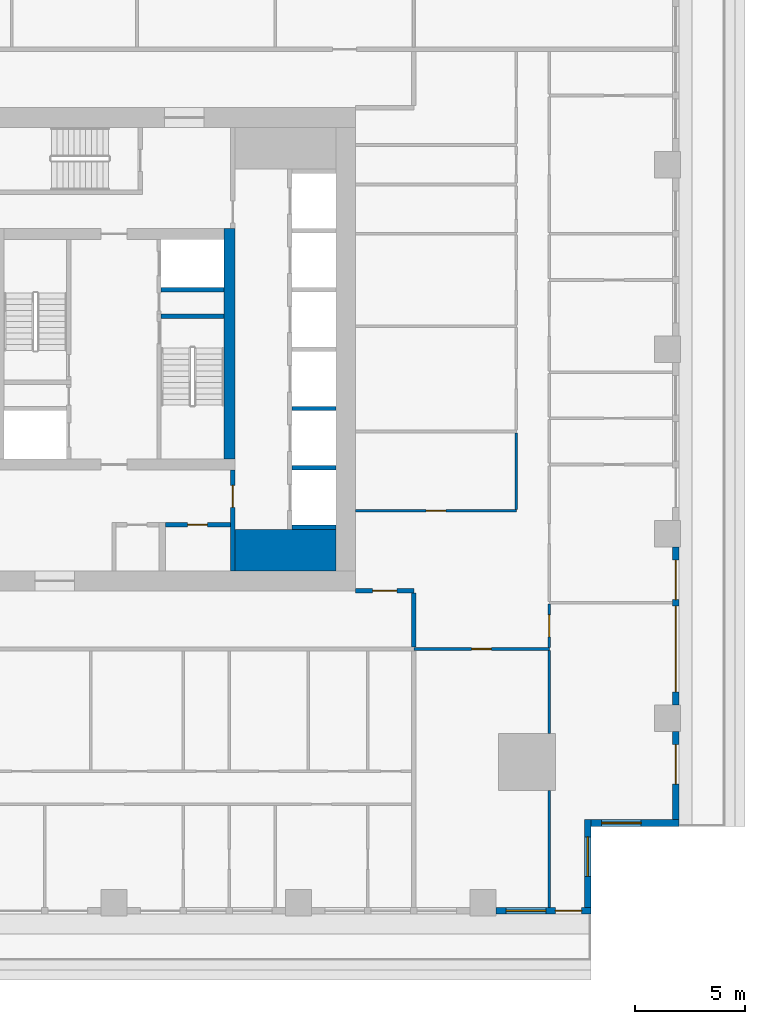
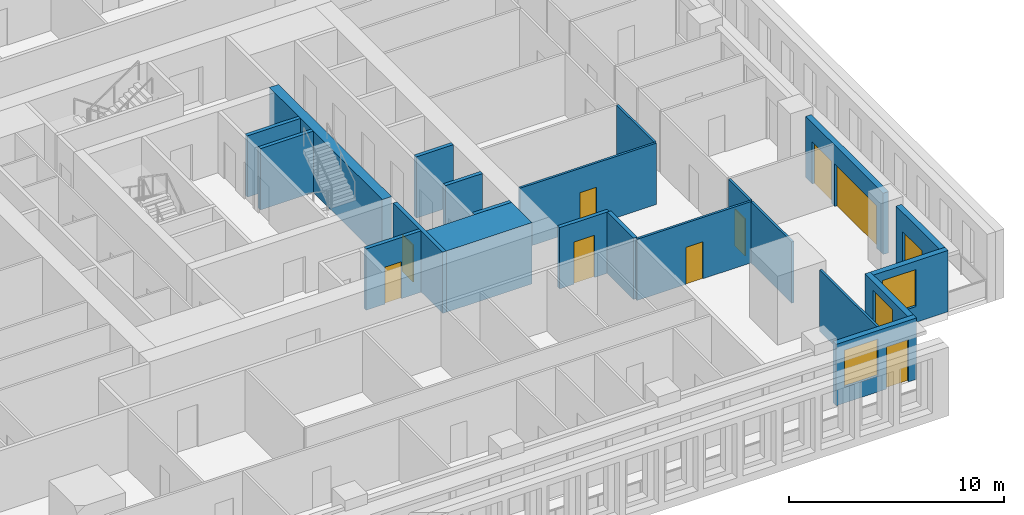
# One storey, part 5 of 16: 22 walls, 10 doors, 3 windows, 13 openings.
"""IFC4 building model written with IfcOpenShell, lengths in metres."""

from ifc_helpers import new_model, si_unit, direction, frame, frame_2d, origin, place, context, subcontext, project, spatial, rectangle, extrude, material, layer, layer_set, type_object, element, fill, save


model = new_model("IFC4")

# Units and contexts
model_context = context("Model", 3, precision=1e-05, world=origin(), true_north=direction((0.0, 1.0)))
body_context = subcontext(model_context, "Body", "Model", "MODEL_VIEW")
ifc_project = project(units=[si_unit("LENGTHUNIT", "METRE"), si_unit("AREAUNIT", "SQUARE_METRE"), si_unit("VOLUMEUNIT", "CUBIC_METRE"), si_unit("PLANEANGLEUNIT", "RADIAN"), si_unit("MASSUNIT", "GRAM", prefix="KILO")], contexts=[model_context])

# Site, building, storey
site_placement = place(None, origin())
site = spatial("IfcSite", under=ifc_project, at=site_placement, CompositionType="ELEMENT")
building_placement = place(site_placement, origin())
building = spatial("IfcBuilding", under=site, at=building_placement, Name="Khepri Terraces", CompositionType="ELEMENT")
storey_placement = place(building_placement, frame((0.0, 0.0, 149.39990234375)))
storey = spatial("IfcBuildingStorey", under=building, at=storey_placement, Name="L35", CompositionType="ELEMENT", Elevation=149.39990234375)

# Walls
ifc_material_1 = material(Name="Concrete C60/75", Category="concrete")
ifc_layer_1 = layer(ifc_material_1, 1.89990234375, Name="Concrete C60/75", Category="concrete")
ifc_layer_set_1 = layer_set([ifc_layer_1], Name="Concrete C60/75")
wall_type_1 = type_object("IfcWallType", Name="Core wall 1900 C60/75", PredefinedType="SHEAR", material=ifc_layer_set_1)
wall_1_placement = place(storey_placement, frame((5.5, -9.14990234375, 0.0), z_axis=(0.0, 0.0, 1.0), x_axis=(1.0, 0.0, 0.0)))
element("IfcWall", 1, at=wall_1_placement, inside=storey, type_object=wall_type_1, Name="Core wall PR02 L35", PredefinedType="SHEAR", context=body_context, shape_type="SweptSolid", body=[
    extrude(rectangle(XDim=4.60009765625, YDim=1.89990234375, at=frame_2d((2.300048828125, 0.0))), origin(), (0.0, 0.0, 1.0), 3.47998046875),
])
ifc_layer_2 = layer(ifc_material_1, 0.199951171875, Name="Concrete C60/75", Category="concrete")
ifc_layer_set_2 = layer_set([ifc_layer_2], Name="Concrete C60/75")
wall_type_2 = type_object("IfcWallType", Name="Core wall 200 C60/75", PredefinedType="SHEAR", material=ifc_layer_set_2)
wall_2_placement = place(storey_placement, frame((2.14990234375, 1.5, 0.0), z_axis=(0.0, 0.0, 1.0), x_axis=(1.0, 0.0, 0.0)))
element("IfcWall", 2, at=wall_2_placement, inside=storey, type_object=wall_type_2, Name="Core wall ST04 L35", PredefinedType="SHEAR", context=body_context, shape_type="SweptSolid", body=[
    extrude(rectangle(XDim=2.85009765625, YDim=0.199951171875, at=frame_2d((1.425048828125, 0.0))), origin(), (0.0, 0.0, 1.0), 3.47998046875),
])
for number, where, z_axis, x_axis, name in (
    (3, (8.10009765625, -8.10009765625, 0.0), (0.0, 0.0, 1.0), (1.0, 0.0, 0.0), "Core wall SH03 L35"),
    (4, (8.10009765625, -5.39990234375, 0.0), (0.0, 0.0, 1.0), (1.0, 0.0, 0.0), "Core wall SH04 L35"),
    (5, (8.10009765625, -2.699951171875, 0.0), (0.0, 0.0, 1.0), (1.0, 0.0, 0.0), "Core wall SH08 L35"),
):
    element("IfcWall", number, at=place(storey_placement, frame(where, z_axis=z_axis, x_axis=x_axis)), inside=storey, type_object=wall_type_2, Name=name, PredefinedType="SHEAR", context=body_context, shape_type="SweptSolid", body=[
        extrude(rectangle(XDim=2.0, YDim=0.199951171875, at=frame_2d((1.0, 0.0))), origin(), (0.0, 0.0, 1.0), 3.47998046875),
    ])
wall_3_placement = place(storey_placement, frame((2.14990234375, 2.699951171875, 0.0), z_axis=(0.0, 0.0, 1.0), x_axis=(1.0, 0.0, 0.0)))
element("IfcWall", 6, at=wall_3_placement, inside=storey, type_object=wall_type_2, Name="Core wall SH12 L35", PredefinedType="SHEAR", context=body_context, shape_type="SweptSolid", body=[
    extrude(rectangle(XDim=2.85009765625, YDim=0.199951171875, at=frame_2d((1.425048828125, 0.0))), origin(), (0.0, 0.0, 1.0), 3.47998046875),
])
ifc_layer_3 = layer(ifc_material_1, 0.5, Name="Concrete C60/75", Category="concrete")
ifc_layer_set_3 = layer_set([ifc_layer_3], Name="Concrete C60/75")
wall_type_3 = type_object("IfcWallType", Name="Core wall 500 C60/75", PredefinedType="SHEAR", material=ifc_layer_set_3)
wall_4_placement = place(storey_placement, frame((5.25, -5.0, 0.0), z_axis=(0.0, 0.0, 1.0), x_axis=(0.0, 1.0, 0.0)))
element("IfcWall", 7, at=wall_4_placement, inside=storey, type_object=wall_type_3, Name="Core wall BX03 L35", PredefinedType="SHEAR", context=body_context, shape_type="SweptSolid", body=[
    extrude(rectangle(XDim=10.5, YDim=0.5, at=frame_2d((5.25, 0.0))), origin(), (0.0, 0.0, 1.0), 3.47998046875),
])

# Wall, opening, door
ifc_material_2 = material(Name="Fire-rated gypsum board partition")
ifc_layer_4 = layer(ifc_material_2, 0.199951171875, Name="Fire-rated gypsum board partition")
ifc_layer_set_4 = layer_set([ifc_layer_4], Name="Fire-rated gypsum board partition")
wall_type_4 = type_object("IfcWallType", Name="WL-CORE-PART-200", PredefinedType="PARTITIONING", material=ifc_layer_set_4)
wall_5_placement = place(storey_placement, frame((5.39990234375, -10.10009765625, 0.0), z_axis=(0.0, 0.0, 1.0), x_axis=(0.0, 1.0, 0.0)))
wall_5 = element("IfcWall", 8, at=wall_5_placement, inside=storey, type_object=wall_type_4, Name="Core partition PT04 L35", PredefinedType="PARTITIONING", context=body_context, shape_type="SweptSolid", body=[
    extrude(rectangle(XDim=4.60009765625, YDim=0.199951171875, at=frame_2d((2.300048828125, 0.0))), origin(), (0.0, 0.0, 1.0), 3.47998046875),
])
opening_1_placement = place(wall_5_placement, frame((2.89990234375, 0.0, 0.0)))
opening_1 = element("IfcOpeningElement", 9, at=opening_1_placement, cuts=wall_5, Name="Opening L35-C19", PredefinedType="OPENING", context=body_context, shape_type="SweptSolid", body=[
    extrude(rectangle(XDim=1.0, YDim=2.10009765625, at=frame_2d((0.5, 1.050048828125))), frame((0.0, 0.10986328125, 0.0), z_axis=(0.0, -1.0, 0.0), x_axis=(1.0, 0.0, 0.0)), (0.0, 0.0, 1.0), 0.219970703125),
])
ifc_material_3 = material(Name="Painted steel", Category="steel")
door_type_1 = type_object("IfcDoorType", Name="DR-CORE-LOBBY-1000", OperationType="NOTDEFINED", PredefinedType="DOOR", material=ifc_material_3)
door_1_placement = place(opening_1_placement, origin())
door_1 = element("IfcDoor", 10, at=door_1_placement, inside=storey, type_object=door_type_1, Name="Lobby door L35-C19", OperationType="SINGLE_SWING_RIGHT", OverallHeight=2.10009765625, OverallWidth=1.0, PredefinedType="DOOR", context=body_context, shape_type="SweptSolid", body=[
    extrude(rectangle(XDim=1.0, YDim=2.10009765625, at=frame_2d((0.5, 1.050048828125))), frame((0.0, 0.02490234375, 0.0), z_axis=(0.0, -1.0, 0.0), x_axis=(1.0, 0.0, 0.0)), (0.0, 0.0, 1.0), 0.050048828125),
])
fill(opening_1, door_1)

wall_6_placement = place(storey_placement, frame((2.35009765625, -8.0, 0.0), z_axis=(0.0, 0.0, 1.0), x_axis=(1.0, 0.0, 0.0)))
wall_6 = element("IfcWall", 11, at=wall_6_placement, inside=storey, type_object=wall_type_4, Name="Core partition PT07 L35", PredefinedType="PARTITIONING", context=body_context, shape_type="SweptSolid", body=[
    extrude(rectangle(XDim=2.949951171875, YDim=0.199951171875, at=frame_2d((1.47509765625, 0.0))), origin(), (0.0, 0.0, 1.0), 3.47998046875),
])
opening_2_placement = place(wall_6_placement, frame((1.0, 0.0, 0.0)))
opening_2 = element("IfcOpeningElement", 12, at=opening_2_placement, cuts=wall_6, Name="Opening L35-C23", PredefinedType="OPENING", context=body_context, shape_type="SweptSolid", body=[
    extrude(rectangle(XDim=0.89990234375, YDim=2.10009765625, at=frame_2d((0.449951171875, 1.050048828125))), frame((0.0, 0.10986328125, 0.0), z_axis=(0.0, -1.0, 0.0), x_axis=(1.0, 0.0, 0.0)), (0.0, 0.0, 1.0), 0.219970703125),
])
door_type_2 = type_object("IfcDoorType", Name="DR-CORE-SERVICE-900", OperationType="NOTDEFINED", PredefinedType="DOOR", material=ifc_material_3)
door_2_placement = place(opening_2_placement, frame((0.89990234375, 0.0, 0.0), z_axis=(0.0, 0.0, 1.0), x_axis=(-1.0, 0.0, 0.0)))
door_2 = element("IfcDoor", 13, at=door_2_placement, inside=storey, type_object=door_type_2, Name="Service room door L35-C23", OperationType="SINGLE_SWING_RIGHT", OverallHeight=2.10009765625, OverallWidth=0.89990234375, PredefinedType="DOOR", context=body_context, shape_type="SweptSolid", body=[
    extrude(rectangle(XDim=0.89990234375, YDim=2.10009765625, at=frame_2d((0.449951171875, 1.050048828125))), frame((0.0, 0.02490234375, 0.0), z_axis=(0.0, -1.0, 0.0), x_axis=(1.0, 0.0, 0.0)), (0.0, 0.0, 1.0), 0.050048828125),
])
fill(opening_2, door_2)

# Wall
ifc_material_4 = material(Name="Fire-rated gypsum plasterboard partition, mineral wool")
ifc_layer_5 = layer(ifc_material_4, 0.199951171875, Name="Fire-rated gypsum plasterboard partition, mineral wool")
ifc_layer_set_5 = layer_set([ifc_layer_5], Name="Fire-rated gypsum plasterboard partition, mineral wool")
wall_type_5 = type_object("IfcWallType", Name="WL-CORR-200", PredefinedType="PARTITIONING", material=ifc_layer_set_5)
wall_7_placement = place(storey_placement, frame((13.64990234375, -13.550048828125, 0.0), z_axis=(0.0, 0.0, 1.0), x_axis=(0.0, 1.0, 0.0)))
element("IfcWall", 14, at=wall_7_placement, inside=storey, type_object=wall_type_5, Name="Partition P-025 L35", PredefinedType="PARTITIONING", context=body_context, shape_type="SweptSolid", body=[
    extrude(rectangle(XDim=2.449951171875, YDim=0.199951171875, at=frame_2d((1.22509765625, 0.0))), origin(), (0.0, 0.0, 1.0), 3.47998046875),
])

# Wall, opening, door
wall_8_placement = place(storey_placement, frame((11.0, -11.0, 0.0), z_axis=(0.0, 0.0, 1.0), x_axis=(1.0, 0.0, 0.0)))
wall_8 = element("IfcWall", 15, at=wall_8_placement, inside=storey, type_object=wall_type_5, Name="Partition P-031 L35", PredefinedType="PARTITIONING", context=body_context, shape_type="SweptSolid", body=[
    extrude(rectangle(XDim=2.64990234375, YDim=0.199951171875, at=frame_2d((1.324951171875, 0.0))), origin(), (0.0, 0.0, 1.0), 3.47998046875),
])
opening_3_placement = place(wall_8_placement, frame((0.77490234375, 0.0, 0.0)))
opening_3 = element("IfcOpeningElement", 16, at=opening_3_placement, cuts=wall_8, Name="Opening D1", PredefinedType="OPENING", context=body_context, shape_type="SweptSolid", body=[
    extrude(rectangle(XDim=1.10009765625, YDim=2.39990234375, at=frame_2d((0.550048828125, 1.199951171875))), frame((0.0, 0.10986328125, 0.0), z_axis=(0.0, -1.0, 0.0), x_axis=(1.0, 0.0, 0.0)), (0.0, 0.0, 1.0), 0.219970703125),
])
ifc_material_5 = material(Name="Solid-core timber door leaf, flat entrance door", Category="wood")
door_type_3 = type_object("IfcDoorType", Name="DR-ENT-1100", OperationType="NOTDEFINED", PredefinedType="DOOR", material=ifc_material_5)
door_3_placement = place(opening_3_placement, origin())
door_3 = element("IfcDoor", 17, at=door_3_placement, inside=storey, type_object=door_type_3, Name="Flat B1 entrance door", OperationType="SINGLE_SWING_LEFT", OverallHeight=2.39990234375, OverallWidth=1.10009765625, PredefinedType="DOOR", context=body_context, shape_type="SweptSolid", body=[
    extrude(rectangle(XDim=1.10009765625, YDim=2.39990234375, at=frame_2d((0.550048828125, 1.199951171875))), frame((0.0, 0.02490234375, 0.0), z_axis=(0.0, -1.0, 0.0), x_axis=(1.0, 0.0, 0.0)), (0.0, 0.0, 1.0), 0.050048828125),
])
fill(opening_3, door_3)

# Wall, opening, window
ifc_material_6 = material(Name="Precast concrete C50/60 warm stone", Category="masonry")
ifc_layer_6 = layer(ifc_material_6, 0.300048828125, Name="Precast concrete C50/60 warm stone", Category="masonry")
ifc_layer_set_6 = layer_set([ifc_layer_6], Name="Precast concrete C50/60 warm stone")
wall_type_6 = type_object("IfcWallType", Name="WL-EXT-PRECAST-300", PredefinedType="STANDARD", material=ifc_layer_set_6)
wall_9_placement = place(storey_placement, frame((21.719970703125, -21.570068359375, 0.0), z_axis=(0.0, 0.0, 1.0), x_axis=(1.0, 0.0, 0.0)))
wall_9 = element("IfcWall", 18, at=wall_9_placement, inside=storey, type_object=wall_type_6, Name="External wall L35 S", PredefinedType="STANDARD", context=body_context, shape_type="SweptSolid", body=[
    extrude(rectangle(XDim=4.0, YDim=0.300048828125, at=frame_2d((2.0, 0.0))), origin(), (0.0, 0.0, 1.0), 3.47998046875),
])
opening_4_placement = place(wall_9_placement, frame((0.47998046875, 0.0, 0.89990234375)))
opening_4 = element("IfcOpeningElement", 19, at=opening_4_placement, cuts=wall_9, Name="Opening W1", PredefinedType="OPENING", context=body_context, shape_type="SweptSolid", body=[
    extrude(rectangle(XDim=1.800048828125, YDim=2.10009765625, at=frame_2d((0.89990234375, 1.050048828125))), frame((0.0, 0.16015625, 0.0), z_axis=(0.0, -1.0, 0.0), x_axis=(1.0, 0.0, 0.0)), (0.0, 0.0, 1.0), 0.320068359375),
])
ifc_material_7 = material(Name="Clear glass", Category="glass")
window_type = type_object("IfcWindowType", Name="WIN-RES-1800x2100", PartitioningType="SINGLE_PANEL", PredefinedType="WINDOW", material=ifc_material_7)
window_1_placement = place(opening_4_placement, origin())
window_1 = element("IfcWindow", 20, at=window_1_placement, inside=storey, type_object=window_type, Name="Window L35 S", OverallHeight=2.10009765625, OverallWidth=1.800048828125, PartitioningType="SINGLE_PANEL", PredefinedType="WINDOW", context=body_context, shape_type="SweptSolid", body=[
    extrude(rectangle(XDim=1.800048828125, YDim=2.10009765625, at=frame_2d((0.89990234375, 1.050048828125))), frame((0.0, 0.030029296875, 0.0), z_axis=(0.0, -1.0, 0.0), x_axis=(1.0, 0.0, 0.0)), (0.0, 0.0, 1.0), 0.06005859375),
])
fill(opening_4, window_1)

# Wall, opening, door
wall_10_placement = place(storey_placement, frame((25.570068359375, -21.419921875, 0.0), z_axis=(0.0, 0.0, 1.0), x_axis=(0.0, 1.0, 0.0)))
wall_10 = element("IfcWall", 21, at=wall_10_placement, inside=storey, type_object=wall_type_6, Name="External wall L35 E", PredefinedType="STANDARD", context=body_context, shape_type="SweptSolid", body=[
    extrude(rectangle(XDim=4.02001953125, YDim=0.300048828125, at=frame_2d((2.010009765625, 0.0))), origin(), (0.0, 0.0, 1.0), 3.47998046875),
])
opening_5_placement = place(wall_10_placement, frame((1.6201171875, 0.0, 0.0)))
opening_5 = element("IfcOpeningElement", 22, at=opening_5_placement, cuts=wall_10, Name="Opening ED-L35-01", PredefinedType="OPENING", context=body_context, shape_type="SweptSolid", body=[
    extrude(rectangle(XDim=1.800048828125, YDim=2.39990234375, at=frame_2d((0.89990234375, 1.199951171875))), frame((0.0, 0.16015625, 0.0), z_axis=(0.0, -1.0, 0.0), x_axis=(1.0, 0.0, 0.0)), (0.0, 0.0, 1.0), 0.320068359375),
])
ifc_material_8 = material(Name="Anodised aluminium bronze glazed door", Category="aluminium")
door_type_4 = type_object("IfcDoorType", Name="DR-BAL-SLIDE-1800x2400", OperationType="NOTDEFINED", PredefinedType="DOOR", material=ifc_material_8)
door_4_placement = place(opening_5_placement, origin())
door_4 = element("IfcDoor", 23, at=door_4_placement, inside=storey, type_object=door_type_4, Name="Balcony door L35 E", OperationType="SLIDING_TO_RIGHT", OverallHeight=2.39990234375, OverallWidth=1.800048828125, PredefinedType="DOOR", context=body_context, shape_type="SweptSolid", body=[
    extrude(rectangle(XDim=1.800048828125, YDim=2.39990234375, at=frame_2d((0.89990234375, 1.199951171875))), frame((0.0, 0.02490234375, 0.0), z_axis=(0.0, -1.0, 0.0), x_axis=(1.0, 0.0, 0.0)), (0.0, 0.0, 1.0), 0.050048828125),
])
fill(opening_5, door_4)

# Wall, openings, doors
wall_11_placement = place(storey_placement, frame((25.570068359375, -16.199951171875, 0.0), z_axis=(0.0, 0.0, 1.0), x_axis=(0.0, 1.0, 0.0)))
wall_11 = element("IfcWall", 24, at=wall_11_placement, inside=storey, type_object=wall_type_6, Name="External wall L35 E", PredefinedType="STANDARD", context=body_context, shape_type="SweptSolid", body=[
    extrude(rectangle(XDim=7.199951171875, YDim=0.300048828125, at=frame_2d((3.60009765625, 0.0))), origin(), (0.0, 0.0, 1.0), 3.47998046875),
])
opening_6_placement = place(wall_11_placement, frame((0.60009765625, 0.0, 0.0)))
opening_6 = element("IfcOpeningElement", 25, at=opening_6_placement, cuts=wall_11, Name="Opening ED-L35-02", PredefinedType="OPENING", context=body_context, shape_type="SweptSolid", body=[
    extrude(rectangle(XDim=3.89990234375, YDim=2.39990234375, at=frame_2d((1.949951171875, 1.199951171875))), frame((0.0, 0.16015625, 0.0), z_axis=(0.0, -1.0, 0.0), x_axis=(1.0, 0.0, 0.0)), (0.0, 0.0, 1.0), 0.320068359375),
])
opening_7_placement = place(wall_11_placement, frame((4.800048828125, 0.0, 0.0)))
opening_7 = element("IfcOpeningElement", 26, at=opening_7_placement, cuts=wall_11, Name="Opening ED-L35-03", PredefinedType="OPENING", context=body_context, shape_type="SweptSolid", body=[
    extrude(rectangle(XDim=1.800048828125, YDim=2.39990234375, at=frame_2d((0.89990234375, 1.199951171875))), frame((0.0, 0.16015625, 0.0), z_axis=(0.0, -1.0, 0.0), x_axis=(1.0, 0.0, 0.0)), (0.0, 0.0, 1.0), 0.320068359375),
])
door_5_placement = place(opening_7_placement, origin())
door_5 = element("IfcDoor", 27, at=door_5_placement, inside=storey, type_object=door_type_4, Name="Balcony door L35 E", OperationType="SLIDING_TO_RIGHT", OverallHeight=2.39990234375, OverallWidth=1.800048828125, PredefinedType="DOOR", context=body_context, shape_type="SweptSolid", body=[
    extrude(rectangle(XDim=1.800048828125, YDim=2.39990234375, at=frame_2d((0.89990234375, 1.199951171875))), frame((0.0, 0.02490234375, 0.0), z_axis=(0.0, -1.0, 0.0), x_axis=(1.0, 0.0, 0.0)), (0.0, 0.0, 1.0), 0.050048828125),
])
fill(opening_7, door_5)
door_type_5 = type_object("IfcDoorType", Name="DR-BAL-SLIDE-3900x2400", OperationType="NOTDEFINED", PredefinedType="DOOR", material=ifc_material_8)
door_6_placement = place(opening_6_placement, origin())
door_6 = element("IfcDoor", 28, at=door_6_placement, inside=storey, type_object=door_type_5, Name="Balcony door L35 E", OperationType="SLIDING_TO_LEFT", OverallHeight=2.39990234375, OverallWidth=3.89990234375, PredefinedType="DOOR", context=body_context, shape_type="SweptSolid", body=[
    extrude(rectangle(XDim=3.89990234375, YDim=2.39990234375, at=frame_2d((1.949951171875, 1.199951171875))), frame((0.0, 0.02490234375, 0.0), z_axis=(0.0, -1.0, 0.0), x_axis=(1.0, 0.0, 0.0)), (0.0, 0.0, 1.0), 0.050048828125),
])
fill(opening_6, door_6)

# Wall, openings, door, window
wall_12_placement = place(storey_placement, frame((17.39990234375, -25.570068359375, 0.0), z_axis=(0.0, 0.0, 1.0), x_axis=(1.0, 0.0, 0.0)))
wall_12 = element("IfcWall", 29, at=wall_12_placement, inside=storey, type_object=wall_type_6, Name="External wall L35 S", PredefinedType="STANDARD", context=body_context, shape_type="SweptSolid", body=[
    extrude(rectangle(XDim=4.320068359375, YDim=0.300048828125, at=frame_2d((2.16015625, 0.0))), origin(), (0.0, 0.0, 1.0), 3.47998046875),
])
opening_8_placement = place(wall_12_placement, frame((2.695068359375, 0.0, 0.0)))
opening_8 = element("IfcOpeningElement", 30, at=opening_8_placement, cuts=wall_12, Name="Opening ED-L35-21", PredefinedType="OPENING", context=body_context, shape_type="SweptSolid", body=[
    extrude(rectangle(XDim=1.199951171875, YDim=2.39990234375, at=frame_2d((0.60009765625, 1.199951171875))), frame((0.0, 0.16015625, 0.0), z_axis=(0.0, -1.0, 0.0), x_axis=(1.0, 0.0, 0.0)), (0.0, 0.0, 1.0), 0.320068359375),
])
opening_9_placement = place(wall_12_placement, frame((0.4599609375, 0.0, 0.89990234375)))
opening_9 = element("IfcOpeningElement", 31, at=opening_9_placement, cuts=wall_12, Name="Opening W1", PredefinedType="OPENING", context=body_context, shape_type="SweptSolid", body=[
    extrude(rectangle(XDim=1.800048828125, YDim=2.10009765625, at=frame_2d((0.89990234375, 1.050048828125))), frame((0.0, 0.16015625, 0.0), z_axis=(0.0, -1.0, 0.0), x_axis=(1.0, 0.0, 0.0)), (0.0, 0.0, 1.0), 0.320068359375),
])
door_type_6 = type_object("IfcDoorType", Name="DR-BAL-SLIDE-1200x2400", OperationType="NOTDEFINED", PredefinedType="DOOR", material=ifc_material_8)
door_7_placement = place(opening_8_placement, origin())
door_7 = element("IfcDoor", 32, at=door_7_placement, inside=storey, type_object=door_type_6, Name="Balcony door L35 S", OperationType="SLIDING_TO_LEFT", OverallHeight=2.39990234375, OverallWidth=1.199951171875, PredefinedType="DOOR", context=body_context, shape_type="SweptSolid", body=[
    extrude(rectangle(XDim=1.199951171875, YDim=2.39990234375, at=frame_2d((0.60009765625, 1.199951171875))), frame((0.0, 0.02490234375, 0.0), z_axis=(0.0, -1.0, 0.0), x_axis=(1.0, 0.0, 0.0)), (0.0, 0.0, 1.0), 0.050048828125),
])
fill(opening_8, door_7)
window_2_placement = place(opening_9_placement, origin())
window_2 = element("IfcWindow", 33, at=window_2_placement, inside=storey, type_object=window_type, Name="Window L35 S", OverallHeight=2.10009765625, OverallWidth=1.800048828125, PartitioningType="SINGLE_PANEL", PredefinedType="WINDOW", context=body_context, shape_type="SweptSolid", body=[
    extrude(rectangle(XDim=1.800048828125, YDim=2.10009765625, at=frame_2d((0.89990234375, 1.050048828125))), frame((0.0, 0.030029296875, 0.0), z_axis=(0.0, -1.0, 0.0), x_axis=(1.0, 0.0, 0.0)), (0.0, 0.0, 1.0), 0.06005859375),
])
fill(opening_9, window_2)

# Wall, opening, window
wall_13_placement = place(storey_placement, frame((21.570068359375, -25.419921875, 0.0), z_axis=(0.0, 0.0, 1.0), x_axis=(0.0, 1.0, 0.0)))
wall_13 = element("IfcWall", 34, at=wall_13_placement, inside=storey, type_object=wall_type_6, Name="External wall L35 E", PredefinedType="STANDARD", context=body_context, shape_type="SweptSolid", body=[
    extrude(rectangle(XDim=4.0, YDim=0.300048828125, at=frame_2d((2.0, 0.0))), origin(), (0.0, 0.0, 1.0), 3.47998046875),
])
opening_10_placement = place(wall_13_placement, frame((1.419921875, 0.0, 0.89990234375)))
opening_10 = element("IfcOpeningElement", 35, at=opening_10_placement, cuts=wall_13, Name="Opening W1", PredefinedType="OPENING", context=body_context, shape_type="SweptSolid", body=[
    extrude(rectangle(XDim=1.800048828125, YDim=2.10009765625, at=frame_2d((0.89990234375, 1.050048828125))), frame((0.0, 0.16015625, 0.0), z_axis=(0.0, -1.0, 0.0), x_axis=(1.0, 0.0, 0.0)), (0.0, 0.0, 1.0), 0.320068359375),
])
window_3_placement = place(opening_10_placement, origin())
window_3 = element("IfcWindow", 36, at=window_3_placement, inside=storey, type_object=window_type, Name="Window L35 E", OverallHeight=2.10009765625, OverallWidth=1.800048828125, PartitioningType="SINGLE_PANEL", PredefinedType="WINDOW", context=body_context, shape_type="SweptSolid", body=[
    extrude(rectangle(XDim=1.800048828125, YDim=2.10009765625, at=frame_2d((0.89990234375, 1.050048828125))), frame((0.0, 0.030029296875, 0.0), z_axis=(0.0, -1.0, 0.0), x_axis=(1.0, 0.0, 0.0)), (0.0, 0.0, 1.0), 0.06005859375),
])
fill(opening_10, window_3)

# Walls
ifc_material_9 = material(Name="Gypsum plasterboard partition")
ifc_layer_7 = layer(ifc_material_9, 0.1201171875, Name="Gypsum plasterboard partition")
ifc_layer_set_7 = layer_set([ifc_layer_7], Name="Gypsum plasterboard partition")
wall_type_7 = type_object("IfcWallType", Name="WL-PART-120", PredefinedType="PARTITIONING", material=ifc_layer_set_7)
wall_14_placement = place(storey_placement, frame((19.820068359375, -25.419921875, 0.0), z_axis=(0.0, 0.0, 1.0), x_axis=(0.0, 1.0, 0.0)))
element("IfcWall", 37, at=wall_14_placement, inside=storey, type_object=wall_type_7, Name="Partition P-008 L35", PredefinedType="PARTITIONING", context=body_context, shape_type="SweptSolid", body=[
    extrude(rectangle(XDim=5.31982421875, YDim=0.1201171875, at=frame_2d((2.659912109375, 0.0))), origin(), (0.0, 0.0, 1.0), 3.47998046875),
])
wall_15_placement = place(storey_placement, frame((19.820068359375, -17.5, 0.0), z_axis=(0.0, 0.0, 1.0), x_axis=(0.0, 1.0, 0.0)))
element("IfcWall", 38, at=wall_15_placement, inside=storey, type_object=wall_type_7, Name="Partition P-018 L35", PredefinedType="PARTITIONING", context=body_context, shape_type="SweptSolid", body=[
    extrude(rectangle(XDim=3.7900390625, YDim=0.1201171875, at=frame_2d((1.89501953125, 0.0))), origin(), (0.0, 0.0, 1.0), 3.47998046875),
])

# Wall, opening, door
wall_16_placement = place(storey_placement, frame((13.64990234375, -13.64990234375, 0.0), z_axis=(0.0, 0.0, 1.0), x_axis=(1.0, 0.0, 0.0)))
wall_16 = element("IfcWall", 39, at=wall_16_placement, inside=storey, type_object=wall_type_7, Name="Partition P-020 L35", PredefinedType="PARTITIONING", context=body_context, shape_type="SweptSolid", body=[
    extrude(rectangle(XDim=6.170166015625, YDim=0.1201171875, at=frame_2d((3.0849609375, 0.0))), origin(), (0.0, 0.0, 1.0), 3.47998046875),
])
opening_11_placement = place(wall_16_placement, frame((2.635009765625, 0.0, 0.0)))
opening_11 = element("IfcOpeningElement", 40, at=opening_11_placement, cuts=wall_16, Name="Opening D3", PredefinedType="OPENING", context=body_context, shape_type="SweptSolid", body=[
    extrude(rectangle(XDim=0.89990234375, YDim=2.10009765625, at=frame_2d((0.449951171875, 1.050048828125))), frame((0.0, 0.070068359375, 0.0), z_axis=(0.0, -1.0, 0.0), x_axis=(1.0, 0.0, 0.0)), (0.0, 0.0, 1.0), 0.14013671875),
])
ifc_material_10 = material(Name="Timber door leaf", Category="wood")
door_type_7 = type_object("IfcDoorType", Name="DR-INT-900", OperationType="NOTDEFINED", PredefinedType="DOOR", material=ifc_material_10)
door_8_placement = place(opening_11_placement, frame((0.89990234375, 0.0, 0.0), z_axis=(0.0, 0.0, 1.0), x_axis=(-1.0, 0.0, 0.0)))
door_8 = element("IfcDoor", 41, at=door_8_placement, inside=storey, type_object=door_type_7, Name="Door Home Cinema", OperationType="SINGLE_SWING_RIGHT", OverallHeight=2.10009765625, OverallWidth=0.89990234375, PredefinedType="DOOR", context=body_context, shape_type="SweptSolid", body=[
    extrude(rectangle(XDim=0.89990234375, YDim=2.10009765625, at=frame_2d((0.449951171875, 1.050048828125))), frame((0.0, 0.02490234375, 0.0), z_axis=(0.0, -1.0, 0.0), x_axis=(1.0, 0.0, 0.0)), (0.0, 0.0, 1.0), 0.050048828125),
])
fill(opening_11, door_8)

wall_17_placement = place(storey_placement, frame((19.820068359375, -13.590087890625, 0.0), z_axis=(0.0, 0.0, 1.0), x_axis=(0.0, 1.0, 0.0)))
wall_17 = element("IfcWall", 42, at=wall_17_placement, inside=storey, type_object=wall_type_7, Name="Partition P-021 L35", PredefinedType="PARTITIONING", context=body_context, shape_type="SweptSolid", body=[
    extrude(rectangle(XDim=1.97998046875, YDim=0.1201171875, at=frame_2d((0.989990234375, 0.0))), origin(), (0.0, 0.0, 1.0), 3.47998046875),
])
opening_12_placement = place(wall_17_placement, frame((0.489990234375, 0.0, 0.0)))
opening_12 = element("IfcOpeningElement", 43, at=opening_12_placement, cuts=wall_17, Name="Opening D2", PredefinedType="OPENING", context=body_context, shape_type="SweptSolid", body=[
    extrude(rectangle(XDim=1.0, YDim=2.10009765625, at=frame_2d((0.5, 1.050048828125))), frame((0.0, 0.070068359375, 0.0), z_axis=(0.0, -1.0, 0.0), x_axis=(1.0, 0.0, 0.0)), (0.0, 0.0, 1.0), 0.14013671875),
])
ifc_material_11 = material(Name="Timber door leaf, living room door", Category="wood")
door_type_8 = type_object("IfcDoorType", Name="DR-INT-1000", OperationType="NOTDEFINED", PredefinedType="DOOR", material=ifc_material_11)
door_9_placement = place(opening_12_placement, frame((1.0, 0.0, 0.0), z_axis=(0.0, 0.0, 1.0), x_axis=(-1.0, 0.0, 0.0)))
door_9 = element("IfcDoor", 44, at=door_9_placement, inside=storey, type_object=door_type_8, Name="Door Living Room", OperationType="SINGLE_SWING_RIGHT", OverallHeight=2.10009765625, OverallWidth=1.0, PredefinedType="DOOR", context=body_context, shape_type="SweptSolid", body=[
    extrude(rectangle(XDim=1.0, YDim=2.10009765625, at=frame_2d((0.5, 1.050048828125))), frame((0.0, 0.02490234375, 0.0), z_axis=(0.0, -1.0, 0.0), x_axis=(1.0, 0.0, 0.0)), (0.0, 0.0, 1.0), 0.050048828125),
])
fill(opening_12, door_9)

wall_18_placement = place(storey_placement, frame((11.0, -7.35009765625, 0.0), z_axis=(0.0, 0.0, 1.0), x_axis=(1.0, 0.0, 0.0)))
wall_18 = element("IfcWall", 45, at=wall_18_placement, inside=storey, type_object=wall_type_7, Name="Partition P-036 L35", PredefinedType="PARTITIONING", context=body_context, shape_type="SweptSolid", body=[
    extrude(rectangle(XDim=7.320068359375, YDim=0.1201171875, at=frame_2d((3.66015625, 0.0))), origin(), (0.0, 0.0, 1.0), 3.47998046875),
])
opening_13_placement = place(wall_18_placement, frame((3.2099609375, 0.0, 0.0)))
opening_13 = element("IfcOpeningElement", 46, at=opening_13_placement, cuts=wall_18, Name="Opening D3", PredefinedType="OPENING", context=body_context, shape_type="SweptSolid", body=[
    extrude(rectangle(XDim=0.89990234375, YDim=2.10009765625, at=frame_2d((0.449951171875, 1.050048828125))), frame((0.0, 0.070068359375, 0.0), z_axis=(0.0, -1.0, 0.0), x_axis=(1.0, 0.0, 0.0)), (0.0, 0.0, 1.0), 0.14013671875),
])
door_10_placement = place(opening_13_placement, origin())
door_10 = element("IfcDoor", 47, at=door_10_placement, inside=storey, type_object=door_type_7, Name="Door Kitchen", OperationType="SINGLE_SWING_RIGHT", OverallHeight=2.10009765625, OverallWidth=0.89990234375, PredefinedType="DOOR", context=body_context, shape_type="SweptSolid", body=[
    extrude(rectangle(XDim=0.89990234375, YDim=2.10009765625, at=frame_2d((0.449951171875, 1.050048828125))), frame((0.0, 0.02490234375, 0.0), z_axis=(0.0, -1.0, 0.0), x_axis=(1.0, 0.0, 0.0)), (0.0, 0.0, 1.0), 0.050048828125),
])
fill(opening_13, door_10)

# Wall
wall_19_placement = place(storey_placement, frame((18.320068359375, -7.2900390625, 0.0), z_axis=(0.0, 0.0, 1.0), x_axis=(0.0, 1.0, 0.0)))
element("IfcWall", 48, at=wall_19_placement, inside=storey, type_object=wall_type_7, Name="Partition P-039 L35", PredefinedType="PARTITIONING", context=body_context, shape_type="SweptSolid", body=[
    extrude(rectangle(XDim=3.47998046875, YDim=0.1201171875, at=frame_2d((1.739990234375, 0.0))), origin(), (0.0, 0.0, 1.0), 3.47998046875),
])

save(model, "model.ifc")
